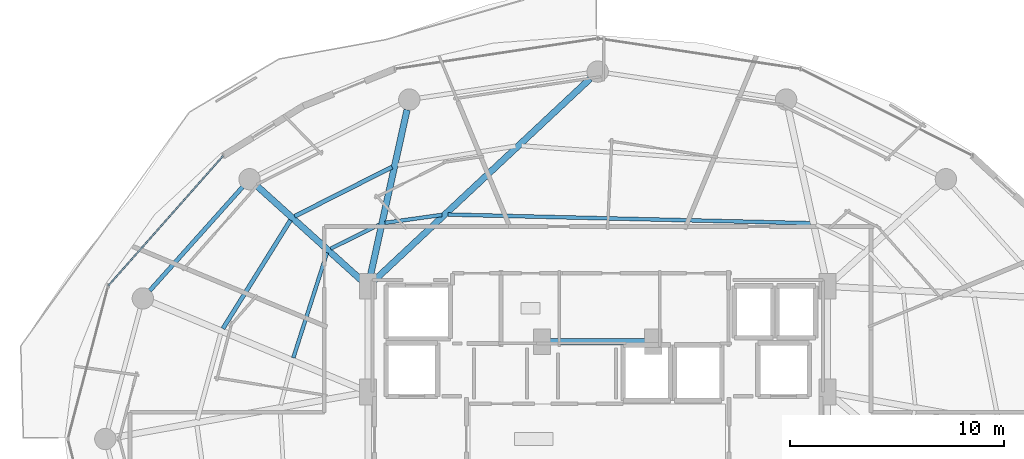
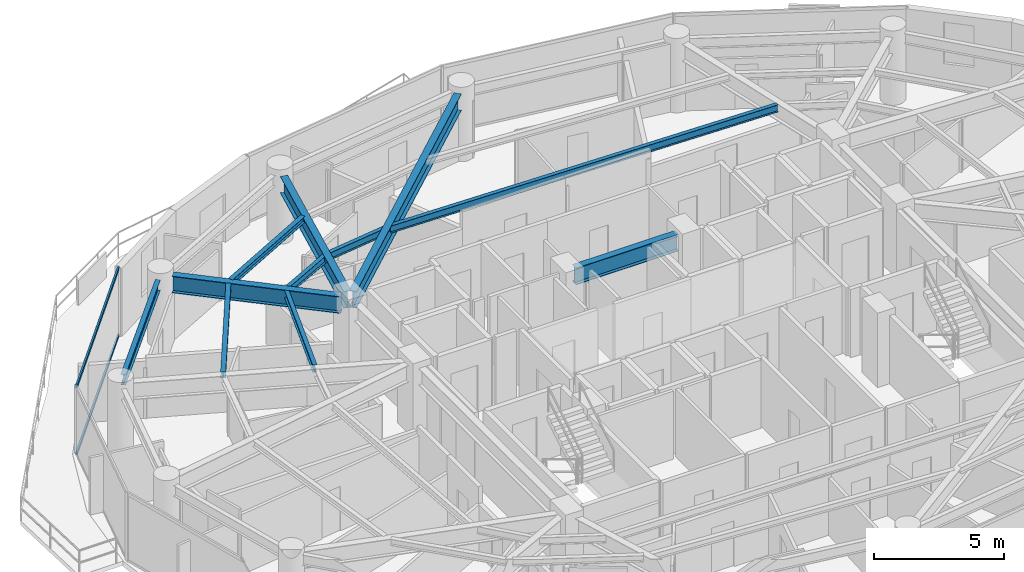
# One storey, part 10 of 29: 11 beams, 2 members, 1 element without a shape of its own.
"""IFC4 building model written with IfcOpenShell, lengths in metres."""

from ifc_helpers import new_model, si_unit, direction, frame, origin, origin_2d, place, context, subcontext, project, spatial, hollow_rectangle, i_section, extrude, material, material_profile, profile_set, type_object, element, aggregate, save


model = new_model("IFC4")

# Units and contexts
model_context = context("Model", 3, precision=1e-05, world=origin(), true_north=direction((0.0, 1.0)))
body_context = subcontext(model_context, "Body", "Model", "MODEL_VIEW")
ifc_project = project(units=[si_unit("LENGTHUNIT", "METRE"), si_unit("AREAUNIT", "SQUARE_METRE"), si_unit("VOLUMEUNIT", "CUBIC_METRE"), si_unit("PLANEANGLEUNIT", "RADIAN"), si_unit("MASSUNIT", "GRAM", prefix="KILO")], contexts=[model_context])

# Site, building, storey
site_placement = place(None, origin())
site = spatial("IfcSite", under=ifc_project, at=site_placement, CompositionType="ELEMENT")
building_placement = place(site_placement, origin())
building = spatial("IfcBuilding", under=site, at=building_placement, Name="Vorneva Point Tower", CompositionType="ELEMENT")
storey_placement = place(building_placement, frame((0.0, 0.0, 171.10009765625)))
storey = spatial("IfcBuildingStorey", under=building, at=storey_placement, Name="L46", CompositionType="ELEMENT", Elevation=171.10009765625)

# Beams
ifc_material_1 = material(Name="Steel S355", Category="steel")
ifc_material_profile_1 = material_profile(ifc_material_1, i_section(OverallWidth=0.300048828125, OverallDepth=0.7880859375, WebThickness=0.014404296875, FlangeThickness=0.02197265625, at=origin_2d()), Name="80Sh1")
ifc_profile_set_1 = profile_set([ifc_material_profile_1], Name="Steel S355")
beam_type_1 = type_object("IfcBeamType", Name="BM-GRD-80Sh1", PredefinedType="USERDEFINED", material=ifc_profile_set_1)
beam_1_placement = place(storey_placement, frame((37.6435546875, 42.86669921875, 2.805908203125), z_axis=(-0.730490907119, -0.682922422107, 0.0), x_axis=(0.682922422107, -0.730490907119, 0.0)))
element("IfcBeam", 1, at=beam_1_placement, inside=storey, type_object=beam_type_1, Name="L46 Radial Primary Girder 05", ObjectType="GIRDER", PredefinedType="USERDEFINED", context=body_context, shape_type="SweptSolid", body=[
    extrude(i_section(OverallWidth=0.300048828125, OverallDepth=0.7880859375, WebThickness=0.014404296875, FlangeThickness=0.02197265625, at=origin_2d()), origin(), (0.0, 0.0, 1.0), 13.88818359375),
])
beam_2_placement = place(storey_placement, frame((29.073974609375, 41.414306640625, 2.805908203125), z_axis=(-0.215520500859, -0.976499315775, 0.0), x_axis=(0.976499315775, -0.215520500859, 0.0)))
element("IfcBeam", 2, at=beam_2_placement, inside=storey, type_object=beam_type_1, Name="L46 Radial Primary Girder 06", ObjectType="GIRDER", PredefinedType="USERDEFINED", context=body_context, shape_type="SweptSolid", body=[
    extrude(i_section(OverallWidth=0.300048828125, OverallDepth=0.7880859375, WebThickness=0.014404296875, FlangeThickness=0.02197265625, at=origin_2d()), origin(), (0.0, 0.0, 1.0), 8.123291015625),
])
beam_3_placement = place(storey_placement, frame((22.063232421875, 37.835205078125, 2.805908203125), z_axis=(0.742084379637, -0.670306477292, 0.0), x_axis=(0.670306477292, 0.742084379637, 0.0)))
element("IfcBeam", 3, at=beam_3_placement, inside=storey, type_object=beam_type_1, Name="L46 Radial Primary Girder 07", ObjectType="GIRDER", PredefinedType="USERDEFINED", context=body_context, shape_type="SweptSolid", body=[
    extrude(i_section(OverallWidth=0.300048828125, OverallDepth=0.7880859375, WebThickness=0.014404296875, FlangeThickness=0.02197265625, at=origin_2d()), origin(), (0.0, 0.0, 1.0), 6.649658203125),
])
beam_4_placement = place(storey_placement, frame((35.719970703125, 30.550048828125, 2.805908203125), z_axis=(1.0, 0.0, 0.0), x_axis=(0.0, 1.0, 0.0)))
element("IfcBeam", 4, at=beam_4_placement, inside=storey, type_object=beam_type_1, Name="L46 Core Tie Girder CT8", ObjectType="GIRDER", PredefinedType="USERDEFINED", context=body_context, shape_type="SweptSolid", body=[
    extrude(i_section(OverallWidth=0.300048828125, OverallDepth=0.7880859375, WebThickness=0.014404296875, FlangeThickness=0.02197265625, at=origin_2d()), origin(), (0.0, 0.0, 1.0), 4.56005859375),
])
ifc_material_profile_2 = material_profile(ifc_material_1, i_section(OverallWidth=0.199951171875, OverallDepth=0.291015625, WebThickness=0.008056640625, FlangeThickness=0.010986328125, at=origin_2d()), Name="30Sh1")
ifc_profile_set_2 = profile_set([ifc_material_profile_2], Name="Steel S355")
beam_type_2 = type_object("IfcBeamType", Name="BM-SEC-30Sh1", PredefinedType="BEAM", material=ifc_profile_set_2)
beam_5_placement = place(storey_placement, frame((28.373046875, 38.734130859375, 3.054443359375), z_axis=(-0.892189333363, -0.451661591717, 0.0), x_axis=(0.451661591717, -0.892189333363, 0.0)))
element("IfcBeam", 5, at=beam_5_placement, inside=storey, type_object=beam_type_2, Name="L46 Secondary Floor Beam 1.06", PredefinedType="BEAM", context=body_context, shape_type="SweptSolid", body=[
    extrude(i_section(OverallWidth=0.199951171875, OverallDepth=0.291015625, WebThickness=0.008056640625, FlangeThickness=0.010986328125, at=origin_2d()), origin(), (0.0, 0.0, 1.0), 5.109130859375),
])
beam_6_placement = place(storey_placement, frame((23.61865234375, 36.2470703125, 3.054443359375), z_axis=(-0.52882428102, -0.848731335467, 0.0), x_axis=(0.848731335467, -0.52882428102, 0.0)))
element("IfcBeam", 6, at=beam_6_placement, inside=storey, type_object=beam_type_2, Name="L46 Secondary Floor Beam 1.07", PredefinedType="BEAM", context=body_context, shape_type="SweptSolid", body=[
    extrude(i_section(OverallWidth=0.199951171875, OverallDepth=0.291015625, WebThickness=0.008056640625, FlangeThickness=0.010986328125, at=origin_2d()), origin(), (0.0, 0.0, 1.0), 5.98095703125),
])
ifc_material_profile_3 = material_profile(ifc_material_1, i_section(OverallWidth=0.174072265625, OverallDepth=0.345947265625, WebThickness=0.006103515625, FlangeThickness=0.009033203125, at=origin_2d()), Name="35B1")
ifc_profile_set_3 = profile_set([ifc_material_profile_3], Name="Steel S355")
beam_type_3 = type_object("IfcBeamType", Name="BM-SEC-35B1", PredefinedType="BEAM", material=ifc_profile_set_3)
beam_7_placement = place(storey_placement, frame((47.9609375, 36.102783203125, 3.02685546875), z_axis=(-0.99971415121, 0.023908489487, 0.0), x_axis=(-0.023908489487, -0.99971415121, 0.0)))
element("IfcBeam", 7, at=beam_7_placement, inside=storey, type_object=beam_type_3, Name="L46 Secondary Floor Beam 2.04", PredefinedType="BEAM", context=body_context, shape_type="SweptSolid", body=[
    extrude(i_section(OverallWidth=0.174072265625, OverallDepth=0.345947265625, WebThickness=0.006103515625, FlangeThickness=0.009033203125, at=origin_2d()), origin(), (0.0, 0.0, 1.0), 16.981689453125),
])
beam_8_placement = place(storey_placement, frame((30.709716796875, 36.492919921875, 3.02685546875), z_axis=(-0.990345473583, -0.138621221154, 0.0), x_axis=(0.138621221154, -0.990345473583, 0.0)))
element("IfcBeam", 8, at=beam_8_placement, inside=storey, type_object=beam_type_3, Name="L46 Secondary Floor Beam 2.05", PredefinedType="BEAM", context=body_context, shape_type="SweptSolid", body=[
    extrude(i_section(OverallWidth=0.174072265625, OverallDepth=0.345947265625, WebThickness=0.006103515625, FlangeThickness=0.009033203125, at=origin_2d()), origin(), (0.0, 0.0, 1.0), 2.6982421875),
])
beam_9_placement = place(storey_placement, frame((27.77734375, 36.03857421875, 3.02685546875), z_axis=(-0.896525372152, -0.442992389425, 0.0), x_axis=(0.442992389425, -0.896525372152, 0.0)))
element("IfcBeam", 9, at=beam_9_placement, inside=storey, type_object=beam_type_3, Name="L46 Secondary Floor Beam 2.06", PredefinedType="BEAM", context=body_context, shape_type="SweptSolid", body=[
    extrude(i_section(OverallWidth=0.174072265625, OverallDepth=0.345947265625, WebThickness=0.006103515625, FlangeThickness=0.009033203125, at=origin_2d()), origin(), (0.0, 0.0, 1.0), 2.5478515625),
])
beam_10_placement = place(storey_placement, frame((25.3271484375, 34.71728515625, 3.02685546875), z_axis=(-0.305506866133, -0.952189873263, 0.0), x_axis=(0.952189873263, -0.305506866133, 0.0)))
element("IfcBeam", 10, at=beam_10_placement, inside=storey, type_object=beam_type_3, Name="L46 Secondary Floor Beam 2.07", PredefinedType="BEAM", context=body_context, shape_type="SweptSolid", body=[
    extrude(i_section(OverallWidth=0.174072265625, OverallDepth=0.345947265625, WebThickness=0.006103515625, FlangeThickness=0.009033203125, at=origin_2d()), origin(), (0.0, 0.0, 1.0), 5.160888671875),
])
ifc_material_profile_4 = material_profile(ifc_material_1, i_section(OverallWidth=0.199951171875, OverallDepth=0.491943359375, WebThickness=0.0087890625, FlangeThickness=0.011962890625, at=origin_2d()), Name="50B1")
ifc_profile_set_4 = profile_set([ifc_material_profile_4], Name="Steel S355")
beam_type_4 = type_object("IfcBeamType", Name="BM-SPN-50B1", PredefinedType="SPANDREL", material=ifc_profile_set_4)
beam_11_placement = place(storey_placement, frame((21.377685546875, 37.80078125, 2.953857421875), z_axis=(-0.667111118975, -0.74495822362, 0.0), x_axis=(0.74495822362, -0.667111118975, 0.0)))
element("IfcBeam", 11, at=beam_11_placement, inside=storey, type_object=beam_type_4, Name="L46 Perimeter Spandrel Ring Beam 07", PredefinedType="SPANDREL", context=body_context, shape_type="SweptSolid", body=[
    extrude(i_section(OverallWidth=0.199951171875, OverallDepth=0.491943359375, WebThickness=0.0087890625, FlangeThickness=0.011962890625, at=origin_2d()), origin(), (0.0, 0.0, 1.0), 6.52001953125),
])

# Curtain wall, members
ifc_material_2 = material(Name="Pale anodised aluminium", Category="aluminium")
curtain_wall_type = type_object("IfcCurtainWallType", Name="CW-RES-SYS", PredefinedType="NOTDEFINED", material=ifc_material_2)
curtain_wall_placement = place(storey_placement, origin())
curtain_wall = element("IfcCurtainWall", 12, at=curtain_wall_placement, inside=storey, type_object=curtain_wall_type, Name="L46 Unitised Curtain Wall CW-L46-R03", PredefinedType="NOTDEFINED")
ifc_material_profile_5 = material_profile(ifc_material_2, hollow_rectangle(XDim=0.074951171875, YDim=0.14990234375, WallThickness=0.00390625, at=origin_2d()), Name="AL-TRN 150x75x4")
ifc_profile_set_5 = profile_set([ifc_material_profile_5], Name="Pale anodised aluminium")
member_type = type_object("IfcMemberType", Name="CW-TRN-150", PredefinedType="USERDEFINED", material=ifc_profile_set_5)
member_1_placement = place(storey_placement, frame((20.4638671875, 39.25830078125, 0.02001953125), z_axis=(-0.662218216609, -0.749311039283, 0.0), x_axis=(0.749311039283, -0.662218216609, 0.0)))
member_1 = element("IfcMember", 13, at=member_1_placement, type_object=member_type, Name="CW-L46-R03 Transom 01.1", ObjectType="TRANSOM", PredefinedType="USERDEFINED", context=body_context, shape_type="SweptSolid", body=[
    extrude(hollow_rectangle(XDim=0.074951171875, YDim=0.14990234375, WallThickness=0.00390625, at=origin_2d()), origin(), (0.0, 0.0, 1.0), 8.1181640625),
])
member_2_placement = place(storey_placement, frame((20.4638671875, 39.25830078125, 3.179931640625), z_axis=(-0.662218216609, -0.749311039283, 0.0), x_axis=(0.749311039283, -0.662218216609, 0.0)))
member_2 = element("IfcMember", 14, at=member_2_placement, type_object=member_type, Name="CW-L46-R03 Transom 01.2", ObjectType="TRANSOM", PredefinedType="USERDEFINED", context=body_context, shape_type="SweptSolid", body=[
    extrude(hollow_rectangle(XDim=0.074951171875, YDim=0.14990234375, WallThickness=0.00390625, at=origin_2d()), origin(), (0.0, 0.0, 1.0), 8.1181640625),
])
aggregate(curtain_wall, [member_1, member_2])

save(model, "model.ifc")
